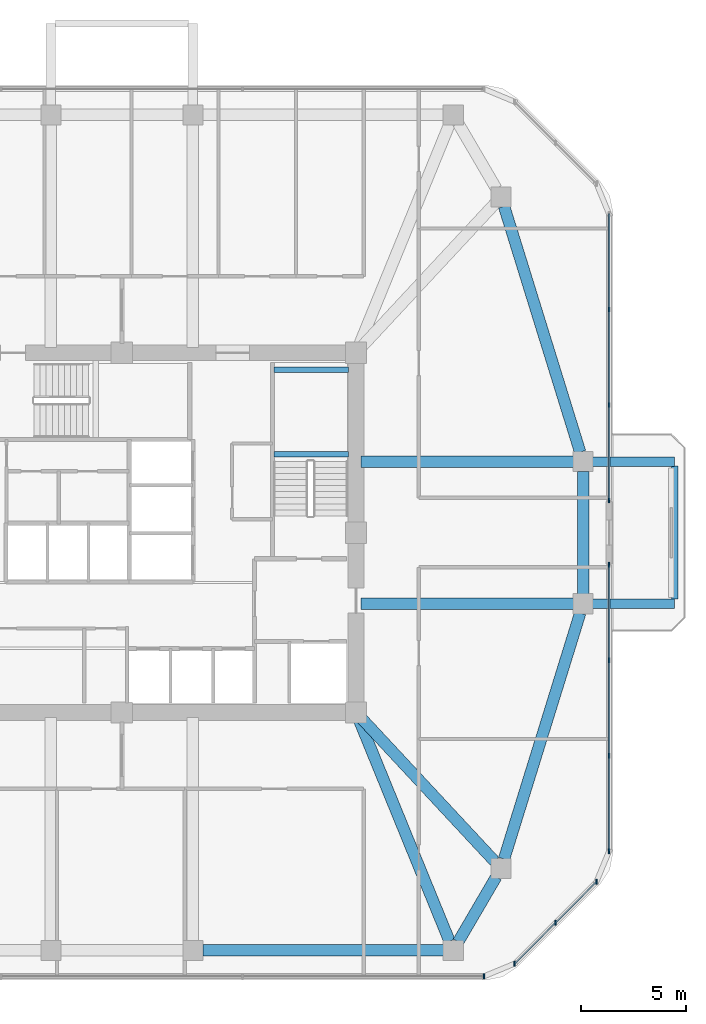
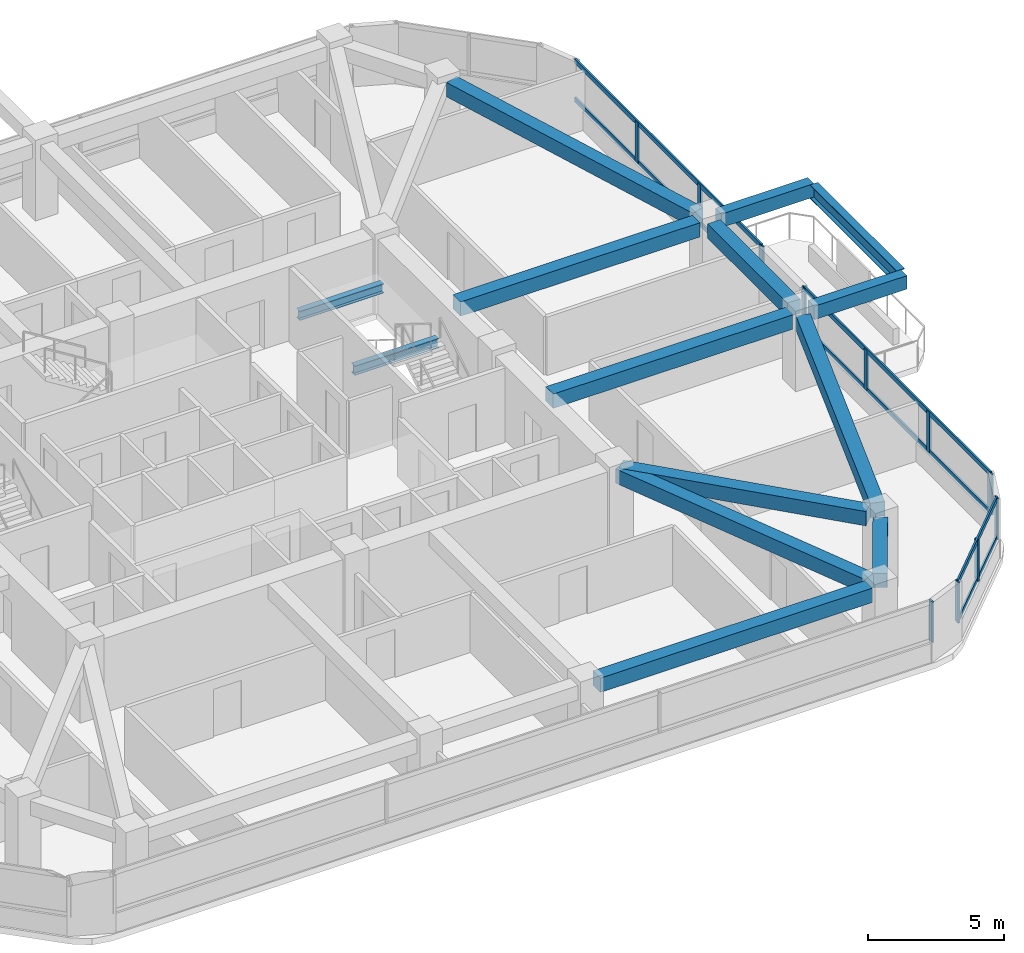
# One storey, part 4 of 13: 17 members, 14 beams, 4 elements without a shape of their own.
"""IFC4 building model written with IfcOpenShell, lengths in metres."""

from ifc_helpers import new_model, si_unit, derived_unit, direction, frame, origin, origin_2d, place, context, subcontext, project, spatial, rectangle, i_section, extrude, material, material_profile, profile_set, type_object, element, aggregate, save


model = new_model("IFC4")

# Units and contexts
model_context = context("Model", 3, precision=1e-05, world=origin(), true_north=direction((0.0, 1.0)))
body_context = subcontext(model_context, "Body", "Model", "MODEL_VIEW")
ifc_project = project(units=[si_unit("LENGTHUNIT", "METRE"), si_unit("AREAUNIT", "SQUARE_METRE"), si_unit("VOLUMEUNIT", "CUBIC_METRE"), si_unit("PLANEANGLEUNIT", "RADIAN"), si_unit("MASSUNIT", "GRAM", prefix="KILO"), derived_unit("THERMALTRANSMITTANCEUNIT", [(si_unit("POWERUNIT", "WATT"), 1), (si_unit("LENGTHUNIT", "METRE"), -2), (si_unit("THERMODYNAMICTEMPERATUREUNIT", "KELVIN"), -1)])], contexts=[model_context])

# Site, building, storey
site_placement = place(None, origin())
site = spatial("IfcSite", under=ifc_project, at=site_placement, CompositionType="ELEMENT")
building_placement = place(site_placement, origin())
building = spatial("IfcBuilding", under=site, at=building_placement, Name="Koralith Skygarden Medical Center", CompositionType="ELEMENT")
storey_placement = place(building_placement, frame((0.0, 0.0, 156.419921875)))
storey = spatial("IfcBuildingStorey", under=building, at=storey_placement, Name="L40", CompositionType="ELEMENT", Elevation=156.419921875)

# Curtain wall, member
ifc_material_1 = material(Name="Clear Laminated Glass", Category="glass")
curtain_wall_type = type_object("IfcCurtainWallType", Name="CW-4 Zone 3 Waist High-Wind Curtain Wall", PredefinedType="NOTDEFINED", material=ifc_material_1)
curtain_wall_1_placement = place(storey_placement, origin())
curtain_wall_1 = element("IfcCurtainWall", 1, at=curtain_wall_1_placement, inside=storey, type_object=curtain_wall_type, Name="Curtain Wall CW-L40-S", PredefinedType="NOTDEFINED")
ifc_material_2 = material(Name="Aluminium 6063-T6", Category="aluminium")
ifc_material_profile_1 = material_profile(ifc_material_2, rectangle(XDim=0.076904296875, YDim=0.22998046875, at=origin_2d()), Name="MUL77X230")
ifc_profile_set_1 = profile_set([ifc_material_profile_1], Name="Aluminium 6063-T6")
member_type_1 = type_object("IfcMemberType", Name="CW-4 Extruded Mullion 77x230", PredefinedType="MULLION", material=ifc_profile_set_1)
member_1_placement = place(storey_placement, frame((54.3291015625, 4.679931640625, 0.85009765625), z_axis=(0.0, 0.0, 1.0), x_axis=(1.0, 0.0, 0.0)))
member_1 = element("IfcMember", 2, at=member_1_placement, type_object=member_type_1, Name="CW-L40-S Mullion 4", PredefinedType="MULLION", context=body_context, shape_type="SweptSolid", body=[
    extrude(rectangle(XDim=0.076904296875, YDim=0.22998046875, at=origin_2d()), origin(), (0.0, 0.0, 1.0), 1.820068359375),
])
aggregate(curtain_wall_1, [member_1])

# Curtain wall, members
curtain_wall_2_placement = place(storey_placement, origin())
curtain_wall_2 = element("IfcCurtainWall", 3, at=curtain_wall_2_placement, inside=storey, type_object=curtain_wall_type, Name="Curtain Wall CW-L40-SE", PredefinedType="NOTDEFINED")
member_2_placement = place(storey_placement, frame((55.780029296875, 5.281005859375, 0.85009765625), z_axis=(0.0, 0.0, 1.0), x_axis=(1.0, 0.0, 0.0)))
member_2 = element("IfcMember", 4, at=member_2_placement, type_object=member_type_1, Name="CW-L40-SE Mullion 1", PredefinedType="MULLION", context=body_context, shape_type="SweptSolid", body=[
    extrude(rectangle(XDim=0.076904296875, YDim=0.22998046875, at=origin_2d()), origin(), (0.0, 0.0, 1.0), 1.820068359375),
])
member_3_placement = place(storey_placement, frame((57.741943359375, 7.241943359375, 0.85009765625), z_axis=(0.0, 0.0, 1.0), x_axis=(1.0, 0.0, 0.0)))
member_3 = element("IfcMember", 5, at=member_3_placement, type_object=member_type_1, Name="CW-L40-SE Mullion 2", PredefinedType="MULLION", context=body_context, shape_type="SweptSolid", body=[
    extrude(rectangle(XDim=0.076904296875, YDim=0.22998046875, at=origin_2d()), origin(), (0.0, 0.0, 1.0), 1.820068359375),
])
member_4_placement = place(storey_placement, frame((59.702880859375, 9.2041015625, 0.85009765625), z_axis=(0.0, 0.0, 1.0), x_axis=(1.0, 0.0, 0.0)))
member_4 = element("IfcMember", 6, at=member_4_placement, type_object=member_type_1, Name="CW-L40-SE Mullion 3", PredefinedType="MULLION", context=body_context, shape_type="SweptSolid", body=[
    extrude(rectangle(XDim=0.076904296875, YDim=0.22998046875, at=origin_2d()), origin(), (0.0, 0.0, 1.0), 1.820068359375),
])

curtain_wall_3_placement = place(storey_placement, origin())
curtain_wall_3 = element("IfcCurtainWall", 7, at=curtain_wall_3_placement, inside=storey, type_object=curtain_wall_type, Name="Curtain Wall CW-L40-E-L", PredefinedType="NOTDEFINED")
member_5_placement = place(storey_placement, frame((60.303955078125, 10.655029296875, 0.85009765625), z_axis=(0.0, 0.0, 1.0), x_axis=(1.0, 0.0, 0.0)))
member_5 = element("IfcMember", 8, at=member_5_placement, type_object=member_type_1, Name="CW-L40-E-L Mullion 1", PredefinedType="MULLION", context=body_context, shape_type="SweptSolid", body=[
    extrude(rectangle(XDim=0.076904296875, YDim=0.22998046875, at=origin_2d()), origin(), (0.0, 0.0, 1.0), 1.820068359375),
])
member_6_placement = place(storey_placement, frame((60.303955078125, 15.222900390625, 0.85009765625), z_axis=(0.0, 0.0, 1.0), x_axis=(1.0, 0.0, 0.0)))
member_6 = element("IfcMember", 9, at=member_6_placement, type_object=member_type_1, Name="CW-L40-E-L Mullion 2", PredefinedType="MULLION", context=body_context, shape_type="SweptSolid", body=[
    extrude(rectangle(XDim=0.076904296875, YDim=0.22998046875, at=origin_2d()), origin(), (0.0, 0.0, 1.0), 1.820068359375),
])
member_7_placement = place(storey_placement, frame((60.303955078125, 19.7919921875, 0.85009765625), z_axis=(0.0, 0.0, 1.0), x_axis=(1.0, 0.0, 0.0)))
member_7 = element("IfcMember", 10, at=member_7_placement, type_object=member_type_1, Name="CW-L40-E-L Mullion 3", PredefinedType="MULLION", context=body_context, shape_type="SweptSolid", body=[
    extrude(rectangle(XDim=0.076904296875, YDim=0.22998046875, at=origin_2d()), origin(), (0.0, 0.0, 1.0), 1.820068359375),
])
member_8_placement = place(storey_placement, frame((60.303955078125, 24.360107421875, 0.85009765625), z_axis=(0.0, 0.0, 1.0), x_axis=(1.0, 0.0, 0.0)))
member_8 = element("IfcMember", 11, at=member_8_placement, type_object=member_type_1, Name="CW-L40-E-L Mullion 4", PredefinedType="MULLION", context=body_context, shape_type="SweptSolid", body=[
    extrude(rectangle(XDim=0.076904296875, YDim=0.22998046875, at=origin_2d()), origin(), (0.0, 0.0, 1.0), 1.820068359375),
])

curtain_wall_4_placement = place(storey_placement, origin())
curtain_wall_4 = element("IfcCurtainWall", 12, at=curtain_wall_4_placement, inside=storey, type_object=curtain_wall_type, Name="Curtain Wall CW-L40-E-R", PredefinedType="NOTDEFINED")
member_9_placement = place(storey_placement, frame((60.303955078125, 27.43994140625, 0.85009765625), z_axis=(0.0, 0.0, 1.0), x_axis=(1.0, 0.0, 0.0)))
member_9 = element("IfcMember", 13, at=member_9_placement, type_object=member_type_1, Name="CW-L40-E-R Mullion 1", PredefinedType="MULLION", context=body_context, shape_type="SweptSolid", body=[
    extrude(rectangle(XDim=0.076904296875, YDim=0.22998046875, at=origin_2d()), origin(), (0.0, 0.0, 1.0), 1.820068359375),
])
member_10_placement = place(storey_placement, frame((60.303955078125, 32.008056640625, 0.85009765625), z_axis=(0.0, 0.0, 1.0), x_axis=(1.0, 0.0, 0.0)))
member_10 = element("IfcMember", 14, at=member_10_placement, type_object=member_type_1, Name="CW-L40-E-R Mullion 2", PredefinedType="MULLION", context=body_context, shape_type="SweptSolid", body=[
    extrude(rectangle(XDim=0.076904296875, YDim=0.22998046875, at=origin_2d()), origin(), (0.0, 0.0, 1.0), 1.820068359375),
])
member_11_placement = place(storey_placement, frame((60.303955078125, 36.576904296875, 0.85009765625), z_axis=(0.0, 0.0, 1.0), x_axis=(1.0, 0.0, 0.0)))
member_11 = element("IfcMember", 15, at=member_11_placement, type_object=member_type_1, Name="CW-L40-E-R Mullion 3", PredefinedType="MULLION", context=body_context, shape_type="SweptSolid", body=[
    extrude(rectangle(XDim=0.076904296875, YDim=0.22998046875, at=origin_2d()), origin(), (0.0, 0.0, 1.0), 1.820068359375),
])

# Member
ifc_material_profile_2 = material_profile(ifc_material_2, rectangle(XDim=0.072021484375, YDim=0.20703125, at=origin_2d()), Name="TRN72X207")
ifc_profile_set_2 = profile_set([ifc_material_profile_2], Name="Aluminium 6063-T6")
member_type_2 = type_object("IfcMemberType", Name="CW-4 Thermal Transom 72x207", PredefinedType="USERDEFINED", material=ifc_profile_set_2)
member_12_placement = place(storey_placement, frame((55.780029296875, 5.281005859375, 0.900146484375), z_axis=(0.707084777957, 0.707128783731, 0.0), x_axis=(-0.707128783731, 0.707084777957, 0.0)))
member_12 = element("IfcMember", 16, at=member_12_placement, type_object=member_type_2, Name="CW-L40-SE Transom 1", ObjectType="TRANSOM", PredefinedType="USERDEFINED", context=body_context, shape_type="SweptSolid", body=[
    extrude(rectangle(XDim=0.072021484375, YDim=0.20703125, at=origin_2d()), origin(), (0.0, 0.0, 1.0), 5.5478515625),
])

member_13_placement = place(storey_placement, frame((55.780029296875, 5.281005859375, 2.6201171875), z_axis=(0.707084777957, 0.707128783731, 0.0), x_axis=(-0.707128783731, 0.707084777957, 0.0)))
member_13 = element("IfcMember", 17, at=member_13_placement, type_object=member_type_2, Name="CW-L40-SE Transom 2", ObjectType="TRANSOM", PredefinedType="USERDEFINED", context=body_context, shape_type="SweptSolid", body=[
    extrude(rectangle(XDim=0.072021484375, YDim=0.20703125, at=origin_2d()), origin(), (0.0, 0.0, 1.0), 5.5478515625),
])

aggregate(curtain_wall_2, [member_2, member_3, member_4, member_12, member_13])

member_14_placement = place(storey_placement, frame((60.303955078125, 10.655029296875, 0.900146484375), z_axis=(0.0, 1.0, 0.0), x_axis=(-1.0, 0.0, 0.0)))
member_14 = element("IfcMember", 18, at=member_14_placement, type_object=member_type_2, Name="CW-L40-E-L Transom 1", ObjectType="TRANSOM", PredefinedType="USERDEFINED", context=body_context, shape_type="SweptSolid", body=[
    extrude(rectangle(XDim=0.072021484375, YDim=0.20703125, at=origin_2d()), origin(), (0.0, 0.0, 1.0), 13.705078125),
])

member_15_placement = place(storey_placement, frame((60.303955078125, 10.655029296875, 2.6201171875), z_axis=(0.0, 1.0, 0.0), x_axis=(-1.0, 0.0, 0.0)))
member_15 = element("IfcMember", 19, at=member_15_placement, type_object=member_type_2, Name="CW-L40-E-L Transom 2", ObjectType="TRANSOM", PredefinedType="USERDEFINED", context=body_context, shape_type="SweptSolid", body=[
    extrude(rectangle(XDim=0.072021484375, YDim=0.20703125, at=origin_2d()), origin(), (0.0, 0.0, 1.0), 13.705078125),
])

aggregate(curtain_wall_3, [member_5, member_6, member_7, member_8, member_14, member_15])

member_16_placement = place(storey_placement, frame((60.303955078125, 27.43994140625, 0.900146484375), z_axis=(0.0, 1.0, 0.0), x_axis=(-1.0, 0.0, 0.0)))
member_16 = element("IfcMember", 20, at=member_16_placement, type_object=member_type_2, Name="CW-L40-E-R Transom 1", ObjectType="TRANSOM", PredefinedType="USERDEFINED", context=body_context, shape_type="SweptSolid", body=[
    extrude(rectangle(XDim=0.072021484375, YDim=0.20703125, at=origin_2d()), origin(), (0.0, 0.0, 1.0), 13.705078125),
])

member_17_placement = place(storey_placement, frame((60.303955078125, 27.43994140625, 2.6201171875), z_axis=(0.0, 1.0, 0.0), x_axis=(-1.0, 0.0, 0.0)))
member_17 = element("IfcMember", 21, at=member_17_placement, type_object=member_type_2, Name="CW-L40-E-R Transom 2", ObjectType="TRANSOM", PredefinedType="USERDEFINED", context=body_context, shape_type="SweptSolid", body=[
    extrude(rectangle(XDim=0.072021484375, YDim=0.20703125, at=origin_2d()), origin(), (0.0, 0.0, 1.0), 13.705078125),
])

aggregate(curtain_wall_4, [member_9, member_10, member_11, member_16, member_17])

# Beams
ifc_material_3 = material(Name="Steel ASTM A992 Grade 50", Category="steel")
ifc_material_profile_3 = material_profile(ifc_material_3, i_section(OverallWidth=0.326904296875, OverallDepth=0.6220703125, WebThickness=0.015380859375, FlangeThickness=0.0244140625, at=origin_2d()), Name="W24X131")
ifc_profile_set_3 = profile_set([ifc_material_profile_3], Name="Steel ASTM A992 Grade 50")
beam_type_1 = type_object("IfcBeamType", Name="Cantilever Tie Beam W24X131", PredefinedType="BEAM", material=ifc_profile_set_3)
beam_1_placement = place(storey_placement, frame((63.444091796875, 22.719970703125, 3.029052734375), z_axis=(0.0, 1.0, 0.0), x_axis=(-1.0, 0.0, 0.0)))
element("IfcBeam", 22, at=beam_1_placement, inside=storey, type_object=beam_type_1, Name="L41 E Balcony Tip Tie Beam", PredefinedType="BEAM", context=body_context, shape_type="SweptSolid", body=[
    extrude(i_section(OverallWidth=0.326904296875, OverallDepth=0.6220703125, WebThickness=0.015380859375, FlangeThickness=0.0244140625, at=origin_2d()), origin(), (0.0, 0.0, 1.0), 6.360107421875),
])
ifc_material_profile_4 = material_profile(ifc_material_3, i_section(OverallWidth=0.260009765625, OverallDepth=0.4150390625, WebThickness=0.010009765625, FlangeThickness=0.016845703125, at=origin_2d()), Name="W16X67")
ifc_profile_set_4 = profile_set([ifc_material_profile_4], Name="Steel ASTM A992 Grade 50")
beam_type_2 = type_object("IfcBeamType", Name="Clinical Floor Joist W16X67", PredefinedType="JOIST", material=ifc_profile_set_4)
for number, where, z_axis, x_axis, name in (
    (23, (44.280029296875, 29.659912109375, 1.39208984375), (1.0, 0.0, 0.0), (0.0, 1.0, 0.0), "L40 Stair ST2 Half-Landing Support Beam 1A"),
    (24, (44.280029296875, 33.699951171875, 1.39208984375), (1.0, 0.0, 0.0), (0.0, 1.0, 0.0), "L40 Stair ST2 Half-Landing Support Beam 1B"),
):
    element("IfcBeam", number, at=place(storey_placement, frame(where, z_axis=z_axis, x_axis=x_axis)), inside=storey, type_object=beam_type_2, Name=name, PredefinedType="JOIST", context=body_context, shape_type="SweptSolid", body=[
        extrude(i_section(OverallWidth=0.260009765625, OverallDepth=0.4150390625, WebThickness=0.010009765625, FlangeThickness=0.016845703125, at=origin_2d()), origin(), (0.0, 0.0, 1.0), 3.56494140625),
    ])
ifc_material_4 = material(Name="Concrete C45/55", Category="concrete")
ifc_material_profile_5 = material_profile(ifc_material_4, rectangle(XDim=0.449951171875, YDim=0.60009765625, at=origin_2d()), Name="RCB450X600")
ifc_profile_set_5 = profile_set([ifc_material_profile_5], Name="Concrete C45/55")
beam_type_3 = type_object("IfcBeamType", Name="Planted Balcony Cantilever Beam RCB450X600", PredefinedType="BEAM", material=ifc_profile_set_5)
for number, where, z_axis, x_axis, name in (
    (25, (59.52392578125, 22.5, 3.0400390625), (1.0, 0.0, 0.0), (0.0, 1.0, 0.0), "L41 E Balcony Cantilever Beam A"),
    (26, (59.52392578125, 29.300048828125, 3.0400390625), (1.0, 0.0, 0.0), (0.0, 1.0, 0.0), "L41 E Balcony Cantilever Beam B"),
):
    element("IfcBeam", number, at=place(storey_placement, frame(where, z_axis=z_axis, x_axis=x_axis)), inside=storey, type_object=beam_type_3, Name=name, PredefinedType="BEAM", context=body_context, shape_type="SweptSolid", body=[
        extrude(rectangle(XDim=0.449951171875, YDim=0.60009765625, at=origin_2d()), origin(), (0.0, 0.0, 1.0), 3.920166015625),
    ])
ifc_material_profile_6 = material_profile(ifc_material_4, rectangle(XDim=0.550048828125, YDim=0.639892578125, at=origin_2d()), Name="RCB550X640")
ifc_profile_set_6 = profile_set([ifc_material_profile_6], Name="Concrete C45/55")
beam_type_4 = type_object("IfcBeamType", Name="Radial Collector Beam RCB550X640", PredefinedType="BEAM", material=ifc_profile_set_6)
beam_2_placement = place(storey_placement, frame((48.294921875, 17.069091796875, 3.0), z_axis=(0.378344544364, -0.92566484526, 0.0), x_axis=(0.92566484526, 0.378344544364, 0.0)))
element("IfcBeam", 27, at=beam_2_placement, inside=storey, type_object=beam_type_4, Name="L40 Radial Collector Beam RB-06", PredefinedType="BEAM", context=body_context, shape_type="SweptSolid", body=[
    extrude(rectangle(XDim=0.550048828125, YDim=0.639892578125, at=origin_2d()), origin(), (0.0, 0.0, 1.0), 11.574462890625),
])
beam_3_placement = place(storey_placement, frame((48.3701171875, 17.116943359375, 3.0), z_axis=(0.681369011591, -0.731940072713, 0.0), x_axis=(0.731940072713, 0.681369011591, 0.0)))
element("IfcBeam", 28, at=beam_3_placement, inside=storey, type_object=beam_type_4, Name="L40 Radial Collector Beam RB-07", PredefinedType="BEAM", context=body_context, shape_type="SweptSolid", body=[
    extrude(rectangle(XDim=0.550048828125, YDim=0.639892578125, at=origin_2d()), origin(), (0.0, 0.0, 1.0), 9.471923828125),
])
for number, where, z_axis, x_axis, name in (
    (29, (48.449951171875, 22.5, 3.0), (1.0, 0.0, 0.0), (0.0, 1.0, 0.0), "L40 Radial Collector Beam RB-08"),
    (30, (48.449951171875, 29.300048828125, 3.0), (1.0, 0.0, 0.0), (0.0, 1.0, 0.0), "L40 Radial Collector Beam RB-09"),
):
    element("IfcBeam", number, at=place(storey_placement, frame(where, z_axis=z_axis, x_axis=x_axis)), inside=storey, type_object=beam_type_4, Name=name, PredefinedType="BEAM", context=body_context, shape_type="SweptSolid", body=[
        extrude(rectangle(XDim=0.550048828125, YDim=0.639892578125, at=origin_2d()), origin(), (0.0, 0.0, 1.0), 10.14404296875),
    ])
ifc_material_profile_7 = material_profile(ifc_material_4, rectangle(XDim=0.550048828125, YDim=0.639892578125, at=origin_2d()), Name="RCB550X640")
ifc_profile_set_7 = profile_set([ifc_material_profile_7], Name="Concrete C45/55")
beam_type_5 = type_object("IfcBeamType", Name="Zone 2-3 Spandrel Beam RCB550X640", PredefinedType="SPANDREL", material=ifc_profile_set_7)
beam_4_placement = place(storey_placement, frame((40.8701171875, 5.919921875, 3.0), z_axis=(1.0, 0.0, 0.0), x_axis=(0.0, 1.0, 0.0)))
element("IfcBeam", 31, at=beam_4_placement, inside=storey, type_object=beam_type_5, Name="L40 Perimeter Spandrel Beam SP-05", PredefinedType="SPANDREL", context=body_context, shape_type="SweptSolid", body=[
    extrude(rectangle(XDim=0.550048828125, YDim=0.639892578125, at=origin_2d()), origin(), (0.0, 0.0, 1.0), 11.511962890625),
])
beam_5_placement = place(storey_placement, frame((53.089111328125, 6.325927734375, 3.0), z_axis=(0.504861391295, 0.863200426077, 0.0), x_axis=(-0.863200426077, 0.504861391295, 0.0)))
element("IfcBeam", 32, at=beam_5_placement, inside=storey, type_object=beam_type_5, Name="L40 Perimeter Spandrel Beam SP-06", PredefinedType="SPANDREL", context=body_context, shape_type="SweptSolid", body=[
    extrude(rectangle(XDim=0.550048828125, YDim=0.639892578125, at=origin_2d()), origin(), (0.0, 0.0, 1.0), 3.600830078125),
])
beam_6_placement = place(storey_placement, frame((55.282958984375, 10.2890625, 3.0), z_axis=(0.295793585147, 0.955251880389, 0.0), x_axis=(-0.955251880389, 0.295793585147, 0.0)))
element("IfcBeam", 33, at=beam_6_placement, inside=storey, type_object=beam_type_5, Name="L40 Perimeter Spandrel Beam SP-07", PredefinedType="SPANDREL", context=body_context, shape_type="SweptSolid", body=[
    extrude(rectangle(XDim=0.550048828125, YDim=0.639892578125, at=origin_2d()), origin(), (0.0, 0.0, 1.0), 12.31298828125),
])
beam_7_placement = place(storey_placement, frame((59.06396484375, 22.969970703125, 3.0), z_axis=(0.0, 1.0, 0.0), x_axis=(-1.0, 0.0, 0.0)))
element("IfcBeam", 34, at=beam_7_placement, inside=storey, type_object=beam_type_5, Name="L40 Perimeter Spandrel Beam SP-08", PredefinedType="SPANDREL", context=body_context, shape_type="SweptSolid", body=[
    extrude(rectangle(XDim=0.550048828125, YDim=0.639892578125, at=origin_2d()), origin(), (0.0, 0.0, 1.0), 5.860107421875),
])
beam_8_placement = place(storey_placement, frame((58.925048828125, 29.7490234375, 3.0), z_axis=(-0.295793585147, 0.955251880389, 0.0), x_axis=(-0.955251880389, -0.295793585147, 0.0)))
element("IfcBeam", 35, at=beam_8_placement, inside=storey, type_object=beam_type_5, Name="L40 Perimeter Spandrel Beam SP-09", PredefinedType="SPANDREL", context=body_context, shape_type="SweptSolid", body=[
    extrude(rectangle(XDim=0.550048828125, YDim=0.639892578125, at=origin_2d()), origin(), (0.0, 0.0, 1.0), 12.31298828125),
])

save(model, "model.ifc")
